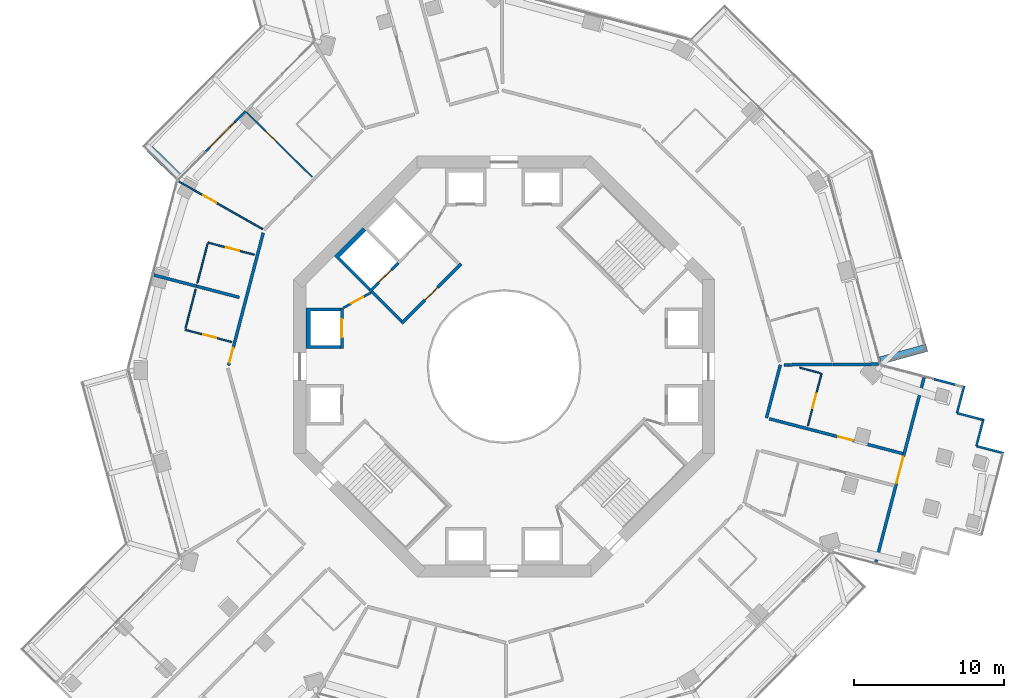
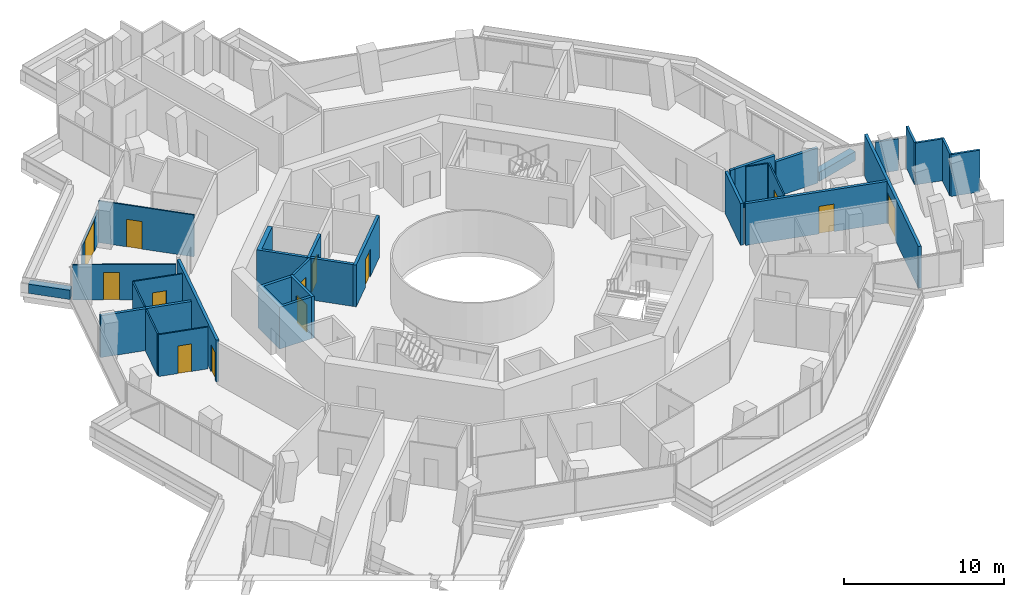
# One storey, part 20 of 26: 32 walls, 13 doors, 13 openings.
"""IFC4 building model written with IfcOpenShell, lengths in metres."""

from ifc_helpers import new_model, si_unit, direction, frame, frame_2d, origin, place, context, subcontext, project, spatial, polyline, rectangle, outline, extrude, material, layer, layer_set, type_object, element, fill, save


model = new_model("IFC4")

# Units and contexts
model_context = context("Model", 3, precision=1e-05, world=origin(), true_north=direction((0.0, 1.0)))
body_context = subcontext(model_context, "Body", "Model", "MODEL_VIEW")
ifc_project = project(units=[si_unit("LENGTHUNIT", "METRE"), si_unit("AREAUNIT", "SQUARE_METRE"), si_unit("VOLUMEUNIT", "CUBIC_METRE"), si_unit("PLANEANGLEUNIT", "RADIAN"), si_unit("MASSUNIT", "GRAM", prefix="KILO")], contexts=[model_context])

# Site, building, storey
site_placement = place(None, origin())
site = spatial("IfcSite", under=ifc_project, at=site_placement, CompositionType="ELEMENT")
building_placement = place(site_placement, origin())
building = spatial("IfcBuilding", under=site, at=building_placement, Name="Verdalira Terraces Hotel", CompositionType="ELEMENT")
storey_placement = place(building_placement, frame((0.0, 0.0, 96.5)))
storey = spatial("IfcBuildingStorey", under=building, at=storey_placement, Name="L22", CompositionType="ELEMENT", Elevation=96.5)

# Walls
ifc_material_1 = material(Name="Concrete C40", Category="concrete")
ifc_layer_1 = layer(ifc_material_1, 0.5)
ifc_layer_set_1 = layer_set([ifc_layer_1], Name="Balcony planter trough with tree")
wall_type_1 = type_object("IfcWallType", Name="Balcony planter trough with tree", PredefinedType="SOLIDWALL", material=ifc_layer_set_1)
wall_1_placement = place(storey_placement, frame((-23.573486, 14.495117, 0.0), z_axis=(0.0, 0.0, 1.0), x_axis=(0.71156988, -0.702615333, 0.0)))
element("IfcWall", 1, at=wall_1_placement, inside=storey, type_object=wall_type_1, Name="Balcony planter", PredefinedType="SOLIDWALL", context=body_context, shape_type="SweptSolid", body=[
    extrude(rectangle(XDim=2.699219, YDim=0.5, at=frame_2d((1.349609, 0.0))), origin(), (0.0, 0.0, 1.0), 0.699951),
])
wall_2_placement = place(storey_placement, frame((25.04834, 0.39917, 0.0), z_axis=(0.0, 0.0, 1.0), x_axis=(0.964276089, 0.264899272, 0.0)))
element("IfcWall", 2, at=wall_2_placement, inside=storey, type_object=wall_type_1, Name="Balcony planter", PredefinedType="SOLIDWALL", context=body_context, shape_type="SweptSolid", body=[
    extrude(rectangle(XDim=3.198975, YDim=0.5, at=frame_2d((1.599609, 0.0))), origin(), (0.0, 0.0, 1.0), 0.699951),
])
ifc_material_2 = material(Name="Moisture-resistant gypsum board partition")
ifc_layer_2 = layer(ifc_material_2, 0.10009765625)
ifc_layer_set_2 = layer_set([ifc_layer_2], Name="Bathroom partition 100 mm")
wall_type_2 = type_object("IfcWallType", Name="Bathroom partition 100 mm", PredefinedType="PARTITIONING", material=ifc_layer_set_2)
wall_3_placement = place(storey_placement, frame((-21.204346, 2.541748, 0.0), z_axis=(0.0, 0.0, 1.0), x_axis=(0.252712657, 0.967541375, 0.0)))
element("IfcWall", 3, at=wall_3_placement, inside=storey, type_object=wall_type_2, Name="Bathroom partition", PredefinedType="PARTITIONING", context=body_context, shape_type="SweptSolid", body=[
    extrude(rectangle(XDim=2.700195, YDim=0.100098, at=frame_2d((1.350098, 0.0))), origin(), (0.0, 0.0, 1.0), 3.189941),
])
wall_4_placement = place(storey_placement, frame((-19.738281, 8.153564, 0.0), z_axis=(0.0, 0.0, 1.0), x_axis=(-0.252819412, -0.967513486, 0.0)))
element("IfcWall", 4, at=wall_4_placement, inside=storey, type_object=wall_type_2, Name="Bathroom partition", PredefinedType="PARTITIONING", context=body_context, shape_type="SweptSolid", body=[
    extrude(rectangle(XDim=2.699951, YDim=0.100098, at=frame_2d((1.350098, 0.0))), origin(), (0.0, 0.0, 1.0), 3.189941),
])

# Wall, opening, door
wall_5_placement = place(storey_placement, frame((-21.229492, 2.445068, 0.0), z_axis=(0.0, 0.0, 1.0), x_axis=(0.967525652, -0.252772848, 0.0)))
wall_5 = element("IfcWall", 5, at=wall_5_placement, inside=storey, type_object=wall_type_2, Name="Bathroom partition", PredefinedType="PARTITIONING", context=body_context, shape_type="SweptSolid", body=[
    extrude(rectangle(XDim=3.199951, YDim=0.100098, at=frame_2d((1.600098, 0.0))), origin(), (0.0, 0.0, 1.0), 3.189941),
])
opening_1_placement = place(wall_5_placement, frame((1.25, 0.0, 0.0)))
opening_1 = element("IfcOpeningElement", 6, at=opening_1_placement, cuts=wall_5, Name="Opening L22-112", PredefinedType="OPENING", context=body_context, shape_type="SweptSolid", body=[
    extrude(rectangle(XDim=0.899902, YDim=2.100098, at=frame_2d((0.449951, 1.050049))), frame((0.0, 0.060059, 0.0), z_axis=(0.0, -1.0, 0.0), x_axis=(1.0, 0.0, 0.0)), (0.0, 0.0, 1.0), 0.120117),
])
ifc_material_3 = material(Name="Timber door", Category="wood")
door_type_1 = type_object("IfcDoorType", Name="Bathroom door 900 x 2100", OperationType="NOTDEFINED", PredefinedType="DOOR", material=ifc_material_3)
door_1_placement = place(opening_1_placement, origin())
door_1 = element("IfcDoor", 7, at=door_1_placement, inside=storey, type_object=door_type_1, Name="Bathroom door 2204", OperationType="SINGLE_SWING_LEFT", OverallHeight=2.10009765625, OverallWidth=0.89990234375, PredefinedType="DOOR", context=body_context, shape_type="SweptSolid", body=[
    extrude(rectangle(XDim=0.899902, YDim=2.100098, at=frame_2d((0.449951, 1.050049))), frame((0.0, 0.024902, 0.0), z_axis=(0.0, -1.0, 0.0), x_axis=(1.0, 0.0, 0.0)), (0.0, 0.0, 1.0), 0.050049),
])
fill(opening_1, door_1)

wall_6_placement = place(storey_placement, frame((-16.616943, 7.441406, 0.0), z_axis=(0.0, 0.0, 1.0), x_axis=(-0.967530526, 0.25275419, 0.0)))
wall_6 = element("IfcWall", 8, at=wall_6_placement, inside=storey, type_object=wall_type_2, Name="Bathroom partition", PredefinedType="PARTITIONING", context=body_context, shape_type="SweptSolid", body=[
    extrude(rectangle(XDim=3.200195, YDim=0.100098, at=frame_2d((1.600098, 0.0))), origin(), (0.0, 0.0, 1.0), 3.189941),
])
opening_2_placement = place(wall_6_placement, frame((1.050049, 0.0, 0.0)))
opening_2 = element("IfcOpeningElement", 9, at=opening_2_placement, cuts=wall_6, Name="Opening L22-110", PredefinedType="OPENING", context=body_context, shape_type="SweptSolid", body=[
    extrude(rectangle(XDim=0.899902, YDim=2.100098, at=frame_2d((0.449951, 1.050049))), frame((0.0, 0.060059, 0.0), z_axis=(0.0, -1.0, 0.0), x_axis=(1.0, 0.0, 0.0)), (0.0, 0.0, 1.0), 0.120117),
])
door_2_placement = place(opening_2_placement, origin())
door_2 = element("IfcDoor", 10, at=door_2_placement, inside=storey, type_object=door_type_1, Name="Bathroom door 2203", OperationType="SINGLE_SWING_RIGHT", OverallHeight=2.10009765625, OverallWidth=0.89990234375, PredefinedType="DOOR", context=body_context, shape_type="SweptSolid", body=[
    extrude(rectangle(XDim=0.899902, YDim=2.100098, at=frame_2d((0.449951, 1.050049))), frame((0.0, 0.024902, 0.0), z_axis=(0.0, -1.0, 0.0), x_axis=(1.0, 0.0, 0.0)), (0.0, 0.0, 1.0), 0.050049),
])
fill(opening_2, door_2)

wall_7_placement = place(storey_placement, frame((-17.153809, 16.939697, 0.0), z_axis=(0.0, 0.0, 1.0), x_axis=(0.711519329, -0.702666525, 0.0)))
wall_7 = element("IfcWall", 11, at=wall_7_placement, inside=storey, type_object=wall_type_2, Name="Bathroom partition", PredefinedType="PARTITIONING", context=body_context, shape_type="SweptSolid", body=[
    extrude(rectangle(XDim=6.149902, YDim=0.100098, at=frame_2d((3.074951, 0.0))), origin(), (0.0, 0.0, 1.0), 3.189941),
])
opening_3_placement = place(wall_7_placement, frame((1.800049, 0.0, 0.0)))
opening_3 = element("IfcOpeningElement", 12, at=opening_3_placement, cuts=wall_7, Name="Opening L22-107", PredefinedType="OPENING", context=body_context, shape_type="SweptSolid", body=[
    extrude(rectangle(XDim=1.0, YDim=2.100098, at=frame_2d((0.5, 1.050049))), frame((0.0, 0.060059, 0.0), z_axis=(0.0, -1.0, 0.0), x_axis=(1.0, 0.0, 0.0)), (0.0, 0.0, 1.0), 0.120117),
])
ifc_material_4 = material(Name="Timber door", Category="wood")
door_type_2 = type_object("IfcDoorType", Name="Suite internal door 1000 x 2100", OperationType="NOTDEFINED", PredefinedType="DOOR", material=ifc_material_4)
door_3_placement = place(opening_3_placement, origin())
door_3 = element("IfcDoor", 13, at=door_3_placement, inside=storey, type_object=door_type_2, Name="Suite internal door 2203", OperationType="SINGLE_SWING_LEFT", OverallHeight=2.10009765625, OverallWidth=1.0, PredefinedType="DOOR", context=body_context, shape_type="SweptSolid", body=[
    extrude(rectangle(XDim=1.0, YDim=2.100098, at=frame_2d((0.5, 1.050049))), frame((0.0, 0.024902, 0.0), z_axis=(0.0, -1.0, 0.0), x_axis=(1.0, 0.0, 0.0)), (0.0, 0.0, 1.0), 0.050049),
])
fill(opening_3, door_3)

# Wall
wall_8_placement = place(storey_placement, frame((19.679443, -0.076416, 0.0), z_axis=(0.0, 0.0, 1.0), x_axis=(0.967574623, -0.252585329, 0.0)))
element("IfcWall", 14, at=wall_8_placement, inside=storey, type_object=wall_type_2, Name="Bathroom partition", PredefinedType="PARTITIONING", context=body_context, shape_type="SweptSolid", body=[
    extrude(rectangle(XDim=1.398682, YDim=0.100098, at=frame_2d((0.699219, 0.0))), origin(), (0.0, 0.0, 1.0), 3.189941),
])

# Wall, opening, door
wall_9_placement = place(storey_placement, frame((20.219482, -3.938232, 0.0), z_axis=(0.0, 0.0, 1.0), x_axis=(0.2527504, 0.967531516, 0.0)))
wall_9 = element("IfcWall", 15, at=wall_9_placement, inside=storey, type_object=wall_type_2, Name="Bathroom partition", PredefinedType="PARTITIONING", context=body_context, shape_type="SweptSolid", body=[
    extrude(rectangle(XDim=3.600098, YDim=0.100098, at=frame_2d((1.800049, 0.0))), origin(), (0.0, 0.0, 1.0), 3.189941),
])
opening_4_placement = place(wall_9_placement, frame((1.199951, 0.0, 0.0)))
opening_4 = element("IfcOpeningElement", 16, at=opening_4_placement, cuts=wall_9, Name="Opening L22-131", PredefinedType="OPENING", context=body_context, shape_type="SweptSolid", body=[
    extrude(rectangle(XDim=1.0, YDim=2.100098, at=frame_2d((0.5, 1.050049))), frame((0.0, 0.060059, 0.0), z_axis=(0.0, -1.0, 0.0), x_axis=(1.0, 0.0, 0.0)), (0.0, 0.0, 1.0), 0.120117),
])
ifc_material_5 = material(Name="Timber door", Category="wood")
door_type_3 = type_object("IfcDoorType", Name="Bathroom door 1000 x 2100", OperationType="NOTDEFINED", PredefinedType="DOOR", material=ifc_material_5)
door_4_placement = place(opening_4_placement, origin())
door_4 = element("IfcDoor", 17, at=door_4_placement, inside=storey, type_object=door_type_3, Name="Bathroom door 2212", OperationType="SINGLE_SWING_RIGHT", OverallHeight=2.10009765625, OverallWidth=1.0, PredefinedType="DOOR", context=body_context, shape_type="SweptSolid", body=[
    extrude(rectangle(XDim=1.0, YDim=2.100098, at=frame_2d((0.5, 1.050049))), frame((0.0, 0.024902, 0.0), z_axis=(0.0, -1.0, 0.0), x_axis=(1.0, 0.0, 0.0)), (0.0, 0.0, 1.0), 0.050049),
])
fill(opening_4, door_4)

ifc_material_6 = material(Name="Moisture-resistant gypsum board partition")
ifc_layer_3 = layer(ifc_material_6, 0.10009765625)
ifc_layer_set_3 = layer_set([ifc_layer_3], Name="Bathroom partition 100 mm to beam soffit")
wall_type_3 = type_object("IfcWallType", Name="Bathroom partition 100 mm to beam soffit", PredefinedType="PARTITIONING", material=ifc_layer_set_3)
wall_10_placement = place(storey_placement, frame((-16.069092, 9.143311, 0.0), z_axis=(0.0, 0.0, 1.0), x_axis=(-0.869146509, 0.494554694, 0.0)))
wall_10 = element("IfcWall", 18, at=wall_10_placement, inside=storey, type_object=wall_type_3, Name="Bathroom partition", PredefinedType="PARTITIONING", context=body_context, shape_type="SweptSolid", body=[
    extrude(rectangle(XDim=6.47583, YDim=0.100098, at=frame_2d((3.237793, 0.0))), origin(), (0.0, 0.0, 1.0), 2.689941),
])
opening_5_placement = place(wall_10_placement, frame((3.550049, 0.0, 0.0)))
opening_5 = element("IfcOpeningElement", 19, at=opening_5_placement, cuts=wall_10, Name="Opening L22-108", PredefinedType="OPENING", context=body_context, shape_type="SweptSolid", body=[
    extrude(rectangle(XDim=1.0, YDim=2.100098, at=frame_2d((0.5, 1.050049))), frame((0.0, 0.060059, 0.0), z_axis=(0.0, -1.0, 0.0), x_axis=(1.0, 0.0, 0.0)), (0.0, 0.0, 1.0), 0.120117),
])
door_5_placement = place(opening_5_placement, origin())
door_5 = element("IfcDoor", 20, at=door_5_placement, inside=storey, type_object=door_type_2, Name="Suite internal door 2203", OperationType="SINGLE_SWING_LEFT", OverallHeight=2.10009765625, OverallWidth=1.0, PredefinedType="DOOR", context=body_context, shape_type="SweptSolid", body=[
    extrude(rectangle(XDim=1.0, YDim=2.100098, at=frame_2d((0.5, 1.050049))), frame((0.0, 0.024902, 0.0), z_axis=(0.0, -1.0, 0.0), x_axis=(1.0, 0.0, 0.0)), (0.0, 0.0, 1.0), 0.050049),
])
fill(opening_5, door_5)

# Wall
ifc_material_7 = material(Name="Concrete C50", Category="concrete")
ifc_layer_4 = layer(ifc_material_7, 0.199951171875)
ifc_layer_set_4 = layer_set([ifc_layer_4], Name="Core RC wall 200 C50")
wall_type_4 = type_object("IfcWallType", Name="Core RC wall 200 C50", PredefinedType="SOLIDWALL", material=ifc_layer_set_4)
wall_11_placement = place(storey_placement, origin())
element("IfcWall", 21, at=wall_11_placement, inside=storey, type_object=wall_type_4, Name="L22 shaft wall W1", PredefinedType="SOLIDWALL", context=body_context, shape_type="SweptSolid", body=[
    extrude(outline(polyline([(-13.199951, 3.899902), (-10.899902, 3.899902), (-10.899902, 3.699951), (-12.899902, 3.699951), (-12.899902, 1.399902), (-10.899902, 1.399902), (-10.899902, 1.199951), (-13.199951, 1.199951), (-13.199951, 3.899902)])), origin(), (0.0, 0.0, 1.0), 3.189941),
])

# Wall, opening, door
wall_12_placement = place(storey_placement, frame((-10.800049, 1.199951, 0.0), z_axis=(0.0, 0.0, 1.0), x_axis=(0.0, 1.0, 0.0)))
wall_12 = element("IfcWall", 22, at=wall_12_placement, inside=storey, type_object=wall_type_4, Name="L22 shaft front wall W1", PredefinedType="SOLIDWALL", context=body_context, shape_type="SweptSolid", body=[
    extrude(rectangle(XDim=2.699951, YDim=0.199951, at=frame_2d((1.350098, 0.0))), origin(), (0.0, 0.0, 1.0), 3.189941),
])
opening_6_placement = place(wall_12_placement, frame((0.75, 0.0, 0.0)))
opening_6 = element("IfcOpeningElement", 23, at=opening_6_placement, cuts=wall_12, Name="Opening LD-L22-805", PredefinedType="OPENING", context=body_context, shape_type="SweptSolid", body=[
    extrude(rectangle(XDim=1.199951, YDim=2.100098, at=frame_2d((0.600098, 1.050049))), frame((0.0, 0.109863, 0.0), z_axis=(0.0, -1.0, 0.0), x_axis=(1.0, 0.0, 0.0)), (0.0, 0.0, 1.0), 0.219971),
])
ifc_material_8 = material(Name="Stainless steel", Category="steel")
door_type_4 = type_object("IfcDoorType", Name="Landing door 1200 x 2100", OperationType="NOTDEFINED", PredefinedType="DOOR", material=ifc_material_8)
door_6_placement = place(opening_6_placement, origin())
door_6 = element("IfcDoor", 24, at=door_6_placement, inside=storey, type_object=door_type_4, Name="Lift landing door LR5 L22", OperationType="DOUBLE_DOOR_SLIDING", OverallHeight=2.10009765625, OverallWidth=1.199951171875, PredefinedType="DOOR", context=body_context, shape_type="SweptSolid", body=[
    extrude(rectangle(XDim=1.199951, YDim=2.100098, at=frame_2d((0.600098, 1.050049))), frame((0.0, 0.024902, 0.0), z_axis=(0.0, -1.0, 0.0), x_axis=(1.0, 0.0, 0.0)), (0.0, 0.0, 1.0), 0.050049),
])
fill(opening_6, door_6)

# Wall
wall_13_placement = place(storey_placement, origin())
element("IfcWall", 25, at=wall_13_placement, inside=storey, type_object=wall_type_4, Name="L22 shaft wall F2", PredefinedType="SOLIDWALL", context=body_context, shape_type="SweptSolid", body=[
    extrude(outline(polyline([(-11.313721, 7.354004), (-9.404541, 9.263184), (-9.192383, 9.051025), (-10.960205, 7.283203), (-8.874268, 5.197266), (-9.015625, 5.055908), (-11.313721, 7.354004)])), origin(), (0.0, 0.0, 1.0), 3.189941),
])

# Wall, opening, door
wall_14_placement = place(storey_placement, frame((-7.035645, 6.894287, 0.0), z_axis=(0.0, 0.0, 1.0), x_axis=(-0.707106781, -0.707106781, 0.0)))
wall_14 = element("IfcWall", 26, at=wall_14_placement, inside=storey, type_object=wall_type_4, Name="L22 shaft front wall F2", PredefinedType="SOLIDWALL", context=body_context, shape_type="SweptSolid", body=[
    extrude(rectangle(XDim=2.699951, YDim=0.199951, at=frame_2d((1.350098, 0.0))), origin(), (0.0, 0.0, 1.0), 3.189941),
])
opening_7_placement = place(wall_14_placement, frame((0.649902, 0.0, 0.0)))
opening_7 = element("IfcOpeningElement", 27, at=opening_7_placement, cuts=wall_14, Name="Opening LD-L22-808", PredefinedType="OPENING", context=body_context, shape_type="SweptSolid", body=[
    extrude(rectangle(XDim=1.199951, YDim=2.100098, at=frame_2d((0.600098, 1.050049))), frame((0.0, 0.109863, 0.0), z_axis=(0.0, -1.0, 0.0), x_axis=(1.0, 0.0, 0.0)), (0.0, 0.0, 1.0), 0.219971),
])
door_7_placement = place(opening_7_placement, origin())
door_7 = element("IfcDoor", 28, at=door_7_placement, inside=storey, type_object=door_type_4, Name="Lift landing door LF12 L22", OperationType="DOUBLE_DOOR_SLIDING", OverallHeight=2.10009765625, OverallWidth=1.199951171875, PredefinedType="DOOR", context=body_context, shape_type="SweptSolid", body=[
    extrude(rectangle(XDim=1.199951, YDim=2.100098, at=frame_2d((0.600098, 1.050049))), frame((0.0, 0.024902, 0.0), z_axis=(0.0, -1.0, 0.0), x_axis=(1.0, 0.0, 0.0)), (0.0, 0.0, 1.0), 0.050049),
])
fill(opening_7, door_7)

wall_15_placement = place(storey_placement, frame((-2.86377, 6.823486, 0.0), z_axis=(0.0, 0.0, 1.0), x_axis=(-0.707106781, -0.707106781, 0.0)))
wall_15 = element("IfcWall", 29, at=wall_15_placement, inside=storey, type_object=wall_type_4, Name="L22 fire lobby wall", PredefinedType="SOLIDWALL", context=body_context, shape_type="SweptSolid", body=[
    extrude(rectangle(XDim=5.599854, YDim=0.199951, at=frame_2d((2.799805, 0.0))), origin(), (0.0, 0.0, 1.0), 3.189941),
])
opening_8_placement = place(wall_15_placement, frame((2.199951, 0.0, 0.0)))
opening_8 = element("IfcOpeningElement", 30, at=opening_8_placement, cuts=wall_15, Name="Opening L22-819", PredefinedType="OPENING", context=body_context, shape_type="SweptSolid", body=[
    extrude(rectangle(XDim=1.199951, YDim=2.100098, at=frame_2d((0.600098, 1.050049))), frame((0.0, 0.109863, 0.0), z_axis=(0.0, -1.0, 0.0), x_axis=(1.0, 0.0, 0.0)), (0.0, 0.0, 1.0), 0.219971),
])
ifc_material_9 = material(Name="Steel fire door", Category="steel")
door_type_5 = type_object("IfcDoorType", Name="Lobby door 1200 x 2100", OperationType="NOTDEFINED", PredefinedType="DOOR", material=ifc_material_9)
door_8_placement = place(opening_8_placement, origin())
door_8 = element("IfcDoor", 31, at=door_8_placement, inside=storey, type_object=door_type_5, Name="Fire lobby door L22", OperationType="SINGLE_SWING_LEFT", OverallHeight=2.10009765625, OverallWidth=1.199951171875, PredefinedType="DOOR", context=body_context, shape_type="SweptSolid", body=[
    extrude(rectangle(XDim=1.199951, YDim=2.100098, at=frame_2d((0.600098, 1.050049))), frame((0.0, 0.024902, 0.0), z_axis=(0.0, -1.0, 0.0), x_axis=(1.0, 0.0, 0.0)), (0.0, 0.0, 1.0), 0.050049),
])
fill(opening_8, door_8)

# Wall
wall_16_placement = place(storey_placement, frame((-6.823486, 3.005127, 0.0), z_axis=(0.0, 0.0, 1.0), x_axis=(-0.707106781, 0.707106781, 0.0)))
element("IfcWall", 32, at=wall_16_placement, inside=storey, type_object=wall_type_4, Name="L22 fire lobby wall", PredefinedType="SOLIDWALL", context=body_context, shape_type="SweptSolid", body=[
    extrude(rectangle(XDim=2.800049, YDim=0.199951, at=frame_2d((1.399902, 0.0))), origin(), (0.0, 0.0, 1.0), 3.189941),
])

# Wall, opening, door
ifc_material_10 = material(Name="Gypsum board partition")
ifc_layer_5 = layer(ifc_material_10, 0.14990234375)
ifc_layer_set_5 = layer_set([ifc_layer_5], Name="Core partition 150 mm")
wall_type_5 = type_object("IfcWallType", Name="Core partition 150 mm", PredefinedType="PARTITIONING", material=ifc_layer_set_5)
wall_17_placement = place(storey_placement, frame((-8.874268, 4.914307, 0.0), z_axis=(0.0, 0.0, 1.0), x_axis=(-0.874129705, -0.485692555, 0.0)))
wall_17 = element("IfcWall", 33, at=wall_17_placement, inside=storey, type_object=wall_type_5, Name="Room partition L22", PredefinedType="PARTITIONING", context=body_context, shape_type="SweptSolid", body=[
    extrude(rectangle(XDim=2.088623, YDim=0.149902, at=frame_2d((1.044434, 0.0))), origin(), (0.0, 0.0, 1.0), 3.189941),
])
opening_9_placement = place(wall_17_placement, frame((0.594238, 0.0, 0.0)))
opening_9 = element("IfcOpeningElement", 34, at=opening_9_placement, cuts=wall_17, Name="Opening L22-821", PredefinedType="OPENING", context=body_context, shape_type="SweptSolid", body=[
    extrude(rectangle(XDim=0.899902, YDim=2.100098, at=frame_2d((0.449951, 1.050049))), frame((0.0, 0.084961, 0.0), z_axis=(0.0, -1.0, 0.0), x_axis=(1.0, 0.0, 0.0)), (0.0, 0.0, 1.0), 0.169922),
])
ifc_material_11 = material(Name="Steel fire door", Category="steel")
door_type_6 = type_object("IfcDoorType", Name="Core room door 900 x 2100", OperationType="NOTDEFINED", PredefinedType="DOOR", material=ifc_material_11)
door_9_placement = place(opening_9_placement, origin())
door_9 = element("IfcDoor", 35, at=door_9_placement, inside=storey, type_object=door_type_6, Name="Door L22 room3", OperationType="SINGLE_SWING_LEFT", OverallHeight=2.10009765625, OverallWidth=0.89990234375, PredefinedType="DOOR", context=body_context, shape_type="SweptSolid", body=[
    extrude(rectangle(XDim=0.899902, YDim=2.100098, at=frame_2d((0.449951, 1.050049))), frame((0.0, 0.024902, 0.0), z_axis=(0.0, -1.0, 0.0), x_axis=(1.0, 0.0, 0.0)), (0.0, 0.0, 1.0), 0.050049),
])
fill(opening_9, door_9)

# Walls
ifc_material_12 = material(Name="Fire-rated gypsum board wall")
ifc_layer_6 = layer(ifc_material_12, 0.199951171875)
ifc_layer_set_6 = layer_set([ifc_layer_6], Name="Demising wall 200 mm")
wall_type_6 = type_object("IfcWallType", Name="Demising wall 200 mm", PredefinedType="SOLIDWALL", material=ifc_layer_set_6)
wall_18_placement = place(storey_placement, frame((-20.471436, 5.347656, 0.0), z_axis=(0.0, 0.0, 1.0), x_axis=(-0.967532848, 0.252745301, 0.0)))
element("IfcWall", 36, at=wall_18_placement, inside=storey, type_object=wall_type_6, Name="Demising wall", PredefinedType="SOLIDWALL", context=body_context, shape_type="SweptSolid", body=[
    extrude(rectangle(XDim=2.949951, YDim=0.199951, at=frame_2d((1.475098, 0.0))), origin(), (0.0, 0.0, 1.0), 3.189941),
])
wall_19_placement = place(storey_placement, frame((-17.614502, 4.601318, 0.0), z_axis=(0.0, 0.0, 1.0), x_axis=(-0.96753029, 0.252755093, 0.0)))
element("IfcWall", 37, at=wall_19_placement, inside=storey, type_object=wall_type_6, Name="Demising wall", PredefinedType="SOLIDWALL", context=body_context, shape_type="SweptSolid", body=[
    extrude(rectangle(XDim=2.952881, YDim=0.199951, at=frame_2d((1.476562, 0.0))), origin(), (0.0, 0.0, 1.0), 3.189941),
])
wall_20_placement = place(storey_placement, frame((18.630615, 0.117188, 0.0), z_axis=(0.0, 0.0, 1.0), x_axis=(0.999983911, 0.005672518, 0.0)))
element("IfcWall", 38, at=wall_20_placement, inside=storey, type_object=wall_type_6, Name="Demising wall", PredefinedType="SOLIDWALL", context=body_context, shape_type="SweptSolid", body=[
    extrude(rectangle(XDim=0.30127, YDim=0.199951, at=frame_2d((0.150635, 0.0))), origin(), (0.0, 0.0, 1.0), 3.189941),
])
wall_21_placement = place(storey_placement, frame((18.931885, 0.118896, 0.0), z_axis=(0.0, 0.0, 1.0), x_axis=(0.999980398, 0.006261357, 0.0)))
element("IfcWall", 39, at=wall_21_placement, inside=storey, type_object=wall_type_6, Name="Demising wall", PredefinedType="SOLIDWALL", context=body_context, shape_type="SweptSolid", body=[
    extrude(rectangle(XDim=2.924316, YDim=0.199951, at=frame_2d((1.462158, 0.0))), origin(), (0.0, 0.0, 1.0), 3.189941),
])
ifc_material_13 = material(Name="Fire-rated gypsum board wall")
ifc_layer_7 = layer(ifc_material_13, 0.199951171875)
ifc_layer_set_7 = layer_set([ifc_layer_7], Name="Demising wall 200 mm to beam soffit")
wall_type_7 = type_object("IfcWallType", Name="Demising wall 200 mm to beam soffit", PredefinedType="SOLIDWALL", material=ifc_layer_set_7)
wall_22_placement = place(storey_placement, frame((21.9021, 0.137695, 0.0), z_axis=(0.0, 0.0, 1.0), x_axis=(0.999980157, 0.006299715, 0.0)))
element("IfcWall", 40, at=wall_22_placement, inside=storey, type_object=wall_type_7, Name="Demising wall", PredefinedType="SOLIDWALL", context=body_context, shape_type="SweptSolid", body=[
    extrude(rectangle(XDim=3.061523, YDim=0.199951, at=frame_2d((1.530762, 0.0))), origin(), (0.0, 0.0, 1.0), 2.689941),
])

# Wall, opening, door
ifc_material_14 = material(Name="Fire-rated gypsum board wall")
ifc_layer_8 = layer(ifc_material_14, 0.199951171875)
ifc_layer_set_8 = layer_set([ifc_layer_8], Name="Guest corridor wall 200 mm")
wall_type_8 = type_object("IfcWallType", Name="Guest corridor wall 200 mm", PredefinedType="SOLIDWALL", material=ifc_layer_set_8)
wall_23_placement = place(storey_placement, frame((-18.33374, 0.078613, 0.0), z_axis=(0.0, 0.0, 1.0), x_axis=(0.252736957, 0.967535028, 0.0)))
wall_23 = element("IfcWall", 41, at=wall_23_placement, inside=storey, type_object=wall_type_8, Name="Guest corridor wall", PredefinedType="SOLIDWALL", context=body_context, shape_type="SweptSolid", body=[
    extrude(rectangle(XDim=9.115967, YDim=0.199951, at=frame_2d((4.558105, 0.0))), origin(), (0.0, 0.0, 1.0), 3.189941),
])
opening_10_placement = place(wall_23_placement, frame((0.199951, 0.0, 0.0)))
opening_10 = element("IfcOpeningElement", 42, at=opening_10_placement, cuts=wall_23, Name="Opening L22-111", PredefinedType="OPENING", context=body_context, shape_type="SweptSolid", body=[
    extrude(rectangle(XDim=1.0, YDim=2.100098, at=frame_2d((0.5, 1.050049))), frame((0.0, 0.109863, 0.0), z_axis=(0.0, -1.0, 0.0), x_axis=(1.0, 0.0, 0.0)), (0.0, 0.0, 1.0), 0.219971),
])
ifc_material_15 = material(Name="Timber fire door", Category="wood")
door_type_7 = type_object("IfcDoorType", Name="Guest entry door 1000 x 2100", OperationType="NOTDEFINED", PredefinedType="DOOR", material=ifc_material_15)
door_10_placement = place(opening_10_placement, origin())
door_10 = element("IfcDoor", 43, at=door_10_placement, inside=storey, type_object=door_type_7, Name="Guest entry door 2204", OperationType="SINGLE_SWING_LEFT", OverallHeight=2.10009765625, OverallWidth=1.0, PredefinedType="DOOR", context=body_context, shape_type="SweptSolid", body=[
    extrude(rectangle(XDim=1.0, YDim=2.100098, at=frame_2d((0.5, 1.050049))), frame((0.0, 0.024902, 0.0), z_axis=(0.0, -1.0, 0.0), x_axis=(1.0, 0.0, 0.0)), (0.0, 0.0, 1.0), 0.050049),
])
fill(opening_10, door_10)

# Wall
wall_24_placement = place(storey_placement, frame((17.459717, -3.424072, 0.0), z_axis=(0.0, 0.0, 1.0), x_axis=(0.252791341, 0.96752082, 0.0)))
element("IfcWall", 44, at=wall_24_placement, inside=storey, type_object=wall_type_8, Name="Guest corridor wall", PredefinedType="SOLIDWALL", context=body_context, shape_type="SweptSolid", body=[
    extrude(rectangle(XDim=3.658447, YDim=0.199951, at=frame_2d((1.829102, 0.0))), origin(), (0.0, 0.0, 1.0), 3.189941),
])

# Wall, opening, door
wall_25_placement = place(storey_placement, frame((17.65332, -3.474609, 0.0), z_axis=(0.0, 0.0, 1.0), x_axis=(0.967535412, -0.252735487, 0.0)))
wall_25 = element("IfcWall", 45, at=wall_25_placement, inside=storey, type_object=wall_type_8, Name="Guest corridor wall", PredefinedType="SOLIDWALL", context=body_context, shape_type="SweptSolid", body=[
    extrude(rectangle(XDim=9.19043, YDim=0.199951, at=frame_2d((4.595215, 0.0))), origin(), (0.0, 0.0, 1.0), 3.189941),
])
opening_11_placement = place(wall_25_placement, frame((4.75, 0.0, 0.0)))
opening_11 = element("IfcOpeningElement", 46, at=opening_11_placement, cuts=wall_25, Name="Opening L22-130", PredefinedType="OPENING", context=body_context, shape_type="SweptSolid", body=[
    extrude(rectangle(XDim=1.0, YDim=2.100098, at=frame_2d((0.5, 1.050049))), frame((0.0, 0.109863, 0.0), z_axis=(0.0, -1.0, 0.0), x_axis=(1.0, 0.0, 0.0)), (0.0, 0.0, 1.0), 0.219971),
])
door_11_placement = place(opening_11_placement, origin())
door_11 = element("IfcDoor", 47, at=door_11_placement, inside=storey, type_object=door_type_7, Name="Guest entry door 2212", OperationType="SINGLE_SWING_RIGHT", OverallHeight=2.10009765625, OverallWidth=1.0, PredefinedType="DOOR", context=body_context, shape_type="SweptSolid", body=[
    extrude(rectangle(XDim=1.0, YDim=2.100098, at=frame_2d((0.5, 1.050049))), frame((0.0, 0.024902, 0.0), z_axis=(0.0, -1.0, 0.0), x_axis=(1.0, 0.0, 0.0)), (0.0, 0.0, 1.0), 0.050049),
])
fill(opening_11, door_11)

ifc_material_16 = material(Name="Terracotta cladding", Category="masonry")
ifc_layer_9 = layer(ifc_material_16, 0.199951171875)
ifc_layer_set_9 = layer_set([ifc_layer_9], Name="Loggia back wall 200")
wall_type_9 = type_object("IfcWallType", Name="Loggia back wall 200", PredefinedType="SOLIDWALL", material=ifc_layer_set_9)
wall_26_placement = place(storey_placement, frame((27.949707, -0.738037, 0.0), z_axis=(0.0, 0.0, 1.0), x_axis=(-0.252753687, -0.967530658, 0.0)))
wall_26 = element("IfcWall", 48, at=wall_26_placement, inside=storey, type_object=wall_type_9, Name="Loggia back wall", PredefinedType="SOLIDWALL", context=body_context, shape_type="SweptSolid", body=[
    extrude(rectangle(XDim=12.699951, YDim=0.199951, at=frame_2d((6.350098, 0.0))), origin(), (0.0, 0.0, 1.0), 3.189941),
])
opening_12_placement = place(wall_26_placement, frame((5.449951, 0.0, 0.0)))
opening_12 = element("IfcOpeningElement", 49, at=opening_12_placement, cuts=wall_26, Name="Opening L22-L01", PredefinedType="OPENING", context=body_context, shape_type="SweptSolid", body=[
    extrude(rectangle(XDim=1.800049, YDim=2.399902, at=frame_2d((0.899902, 1.199951))), frame((0.0, 0.109863, 0.0), z_axis=(0.0, -1.0, 0.0), x_axis=(1.0, 0.0, 0.0)), (0.0, 0.0, 1.0), 0.219971),
])
ifc_material_17 = material(Name="Clear glass", Category="glass")
door_type_8 = type_object("IfcDoorType", Name="Garden double door 1800x2400", OperationType="NOTDEFINED", PredefinedType="DOOR", material=ifc_material_17)
door_12_placement = place(opening_12_placement, origin())
door_12 = element("IfcDoor", 50, at=door_12_placement, inside=storey, type_object=door_type_8, Name="Loggia double door", OperationType="DOUBLE_DOOR_SINGLE_SWING", OverallHeight=2.39990234375, OverallWidth=1.800048828125, PredefinedType="DOOR", context=body_context, shape_type="SweptSolid", body=[
    extrude(rectangle(XDim=1.800049, YDim=2.399902, at=frame_2d((0.899902, 1.199951))), frame((0.0, 0.024902, 0.0), z_axis=(0.0, -1.0, 0.0), x_axis=(1.0, 0.0, 0.0)), (0.0, 0.0, 1.0), 0.050049),
])
fill(opening_12, door_12)

# Walls
ifc_material_18 = material(Name="Terracotta cladding", Category="masonry")
ifc_layer_10 = layer(ifc_material_18, 0.14990234375)
ifc_layer_set_10 = layer_set([ifc_layer_10], Name="Terracotta clad wall 150")
wall_type_10 = type_object("IfcWallType", Name="Terracotta clad wall 150", PredefinedType="SOLIDWALL", material=ifc_layer_set_10)
wall_27_placement = place(storey_placement, frame((33.250977, -5.766113, 0.0), z_axis=(0.0, 0.0, 1.0), x_axis=(-0.967538412, 0.252724002, 0.0)))
element("IfcWall", 51, at=wall_27_placement, inside=storey, type_object=wall_type_10, Name="Terracotta cladding wall", PredefinedType="SOLIDWALL", context=body_context, shape_type="SweptSolid", body=[
    extrude(rectangle(XDim=1.875, YDim=0.149902, at=frame_2d((0.9375, 0.0))), origin(), (0.0, 0.0, 1.0), 3.189941),
])
wall_28_placement = place(storey_placement, frame((31.436768, -5.292236, 0.0), z_axis=(0.0, 0.0, 1.0), x_axis=(0.252703496, 0.967543768, 0.0)))
element("IfcWall", 52, at=wall_28_placement, inside=storey, type_object=wall_type_10, Name="Terracotta cladding wall", PredefinedType="SOLIDWALL", context=body_context, shape_type="SweptSolid", body=[
    extrude(rectangle(XDim=1.799805, YDim=0.149902, at=frame_2d((0.899902, 0.0))), origin(), (0.0, 0.0, 1.0), 3.189941),
])
wall_29_placement = place(storey_placement, frame((31.964355, -3.569824, 0.0), z_axis=(0.0, 0.0, 1.0), x_axis=(-0.967506568, 0.252845883, 0.0)))
element("IfcWall", 53, at=wall_29_placement, inside=storey, type_object=wall_type_10, Name="Terracotta cladding wall", PredefinedType="SOLIDWALL", context=body_context, shape_type="SweptSolid", body=[
    extrude(rectangle(XDim=1.875244, YDim=0.149902, at=frame_2d((0.9375, 0.0))), origin(), (0.0, 0.0, 1.0), 3.189941),
])
wall_30_placement = place(storey_placement, frame((30.150146, -3.095703, 0.0), z_axis=(0.0, 0.0, 1.0), x_axis=(0.252755843, 0.967530095, 0.0)))
element("IfcWall", 54, at=wall_30_placement, inside=storey, type_object=wall_type_10, Name="Terracotta cladding wall", PredefinedType="SOLIDWALL", context=body_context, shape_type="SweptSolid", body=[
    extrude(rectangle(XDim=1.874756, YDim=0.149902, at=frame_2d((0.9375, 0.0))), origin(), (0.0, 0.0, 1.0), 3.189941),
])
ifc_material_19 = material(Name="Terracotta cladding", Category="masonry")
ifc_layer_11 = layer(ifc_material_19, 0.14990234375)
ifc_layer_set_11 = layer_set([ifc_layer_11], Name="Terracotta column pier 150")
wall_type_11 = type_object("IfcWallType", Name="Terracotta column pier 150", PredefinedType="SOLIDWALL", material=ifc_layer_set_11)
wall_31_placement = place(storey_placement, frame((30.019775, -1.201416, 0.0), z_axis=(0.0, 0.0, 1.0), x_axis=(-0.967528952, 0.252760216, 0.0)))
element("IfcWall", 55, at=wall_31_placement, inside=storey, type_object=wall_type_11, Name="Terracotta column pier", PredefinedType="SOLIDWALL", context=body_context, shape_type="SweptSolid", body=[
    extrude(rectangle(XDim=1.498047, YDim=0.149902, at=frame_2d((0.749023, 0.0))), origin(), (0.0, 0.0, 1.0), 2.425049),
])

# Wall, opening, door
ifc_material_20 = material(Name="Terracotta cladding", Category="masonry")
ifc_layer_12 = layer(ifc_material_20, 0.14990234375)
ifc_layer_set_12 = layer_set([ifc_layer_12], Name="Terracotta door pier 150")
wall_type_12 = type_object("IfcWallType", Name="Terracotta door pier 150", PredefinedType="SOLIDWALL", material=ifc_layer_set_12)
wall_32_placement = place(storey_placement, frame((-17.207275, 16.992432, 0.0), z_axis=(0.0, 0.0, 1.0), x_axis=(-0.702669036, -0.711516848, 0.0)))
wall_32 = element("IfcWall", 56, at=wall_32_placement, inside=storey, type_object=wall_type_12, Name="Terracotta door pier", PredefinedType="SOLIDWALL", context=body_context, shape_type="SweptSolid", body=[
    extrude(rectangle(XDim=3.835449, YDim=0.149902, at=frame_2d((1.917725, 0.0))), origin(), (0.0, 0.0, 1.0), 2.425049),
])
opening_13_placement = place(wall_32_placement, frame((1.0354, 0.0, 0.0)))
opening_13 = element("IfcOpeningElement", 57, at=opening_13_placement, cuts=wall_32, Name="Opening L22-B05", PredefinedType="OPENING", context=body_context, shape_type="SweptSolid", body=[
    extrude(rectangle(XDim=2.399902, YDim=2.399902, at=frame_2d((1.199951, 1.199951))), frame((0.0, 0.084961, 0.0), z_axis=(0.0, -1.0, 0.0), x_axis=(1.0, 0.0, 0.0)), (0.0, 0.0, 1.0), 0.169922),
])
ifc_material_21 = material(Name="Clear glass", Category="glass")
door_type_9 = type_object("IfcDoorType", Name="Balcony sliding door 2400x2400", OperationType="NOTDEFINED", PredefinedType="DOOR", material=ifc_material_21)
door_13_placement = place(opening_13_placement, origin())
door_13 = element("IfcDoor", 58, at=door_13_placement, inside=storey, type_object=door_type_9, Name="Balcony sliding door", OperationType="SLIDING_TO_LEFT", OverallHeight=2.39990234375, OverallWidth=2.39990234375, PredefinedType="DOOR", context=body_context, shape_type="SweptSolid", body=[
    extrude(rectangle(XDim=2.399902, YDim=2.399902, at=frame_2d((1.199951, 1.199951))), frame((0.0, 0.024902, 0.0), z_axis=(0.0, -1.0, 0.0), x_axis=(1.0, 0.0, 0.0)), (0.0, 0.0, 1.0), 0.050049),
])
fill(opening_13, door_13)

save(model, "model.ifc")
